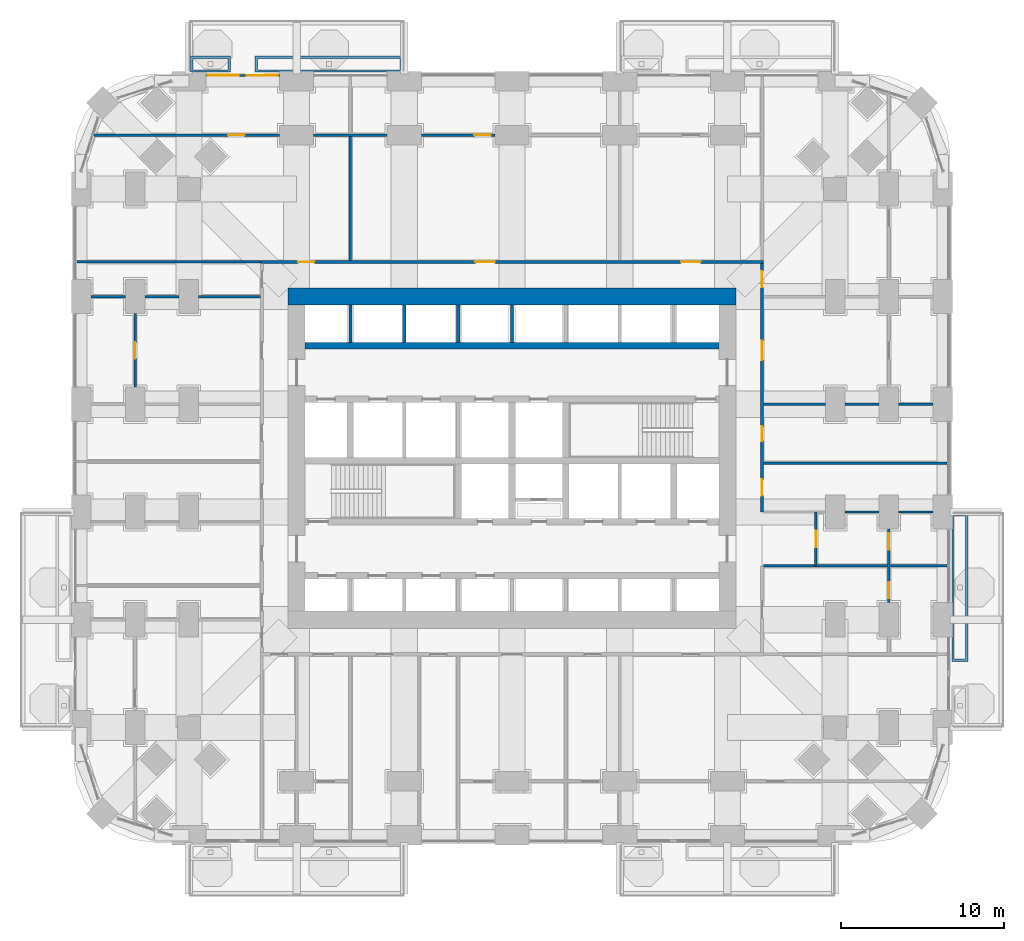
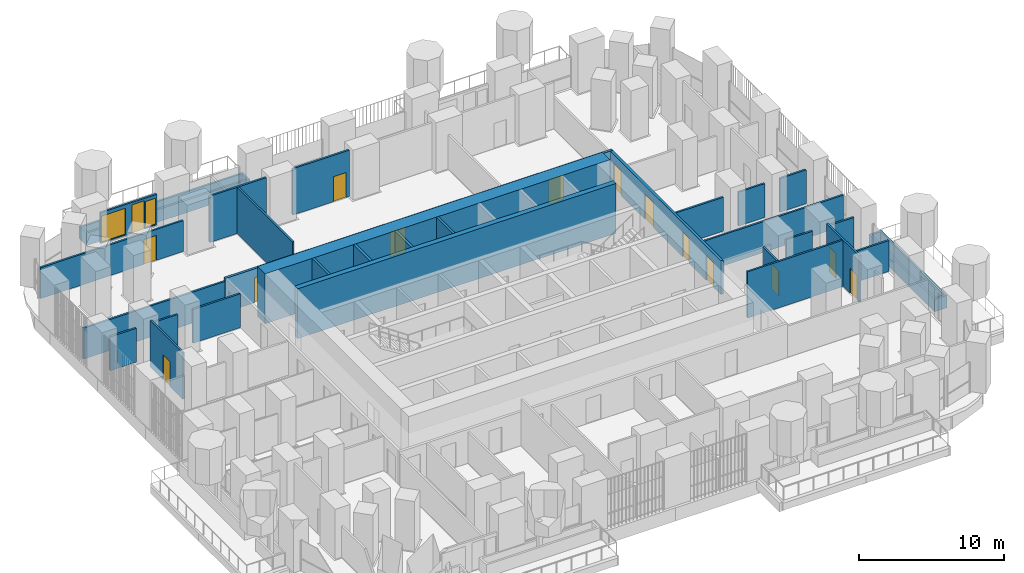
# One storey, part 21 of 27: 31 walls, 14 doors, 2 windows, 16 openings.
"""IFC4 building model written with IfcOpenShell, lengths in metres."""

import ifcopenshell
import ifcopenshell.guid

model = None  # the IFC model being written
_history = None  # IfcOwnerHistory: only IFC2X3 demands one
_inside = {}  # id of a spatial element -> (the spatial element, [elements in it])
_under = {}  # id of a project, library or spatial element -> (it, [spatial elements below it])
_declared = {}  # id of a project -> (the project, [libraries it declares])
_typed = {}  # id of a type object -> (the type object, [elements of that type])
_made_of = {}  # id of a material, layer set ... -> (it, [elements and type objects made of it])


def new_model(schema):
    """Start an empty IFC model of exactly this schema.

    Asked for "IFC4X3", IfcOpenShell would pick the latest addendum, in which some entities
    have other attributes; the version numbers below select the first issue.
    IFC2X3 requires an IfcOwnerHistory on every rooted entity: one is made here for all.
    """
    global model, _history
    if schema == "IFC4X3":
        model = ifcopenshell.file(schema_version=(4, 3, 0, 0))
    else:
        model = ifcopenshell.file(schema=schema)
    _inside.clear()
    _under.clear()
    _declared.clear()
    _typed.clear()
    _made_of.clear()
    _history = None
    if model.schema == "IFC2X3":
        org = make("IfcOrganization", Name="unknown")
        user = make(
            "IfcPersonAndOrganization",
            ThePerson=make("IfcPerson", FamilyName="unknown"),
            TheOrganization=org,
        )
        app = make(
            "IfcApplication",
            ApplicationDeveloper=org,
            Version="unknown",
            ApplicationFullName="unknown",
            ApplicationIdentifier="unknown",
        )
        _history = make(
            "IfcOwnerHistory",
            OwningUser=user,
            OwningApplication=app,
            ChangeAction="ADDED",
            CreationDate=0,
        )
    return model


def make(cls, **values):
    """One entity of the class cls with the attributes given. An attribute that is None is left unset."""
    return model.create_entity(
        cls, **{name: value for name, value in values.items() if value is not None}
    )


def rooted(cls, **values):
    """An entity with a GlobalId (a new one), such as an element, a storey or a relation."""
    return make(cls, GlobalId=ifcopenshell.guid.new(), OwnerHistory=_history, **values)


def si_unit(unit_type, name, prefix=None):
    """IfcSIUnit, for example si_unit("LENGTHUNIT", "METRE", prefix="MILLI")."""
    return make("IfcSIUnit", UnitType=unit_type, Prefix=prefix, Name=name)


def assignment(units):
    """IfcUnitAssignment: the units of a project."""
    return None if units is None else make("IfcUnitAssignment", Units=units)


def point(xyz):
    """IfcCartesianPoint."""
    return None if xyz is None else make("IfcCartesianPoint", Coordinates=xyz)


def direction(xyz):
    """IfcDirection."""
    return None if xyz is None else make("IfcDirection", DirectionRatios=xyz)


def frame(location, z_axis=None, x_axis=None):
    """IfcAxis2Placement3D, a coordinate frame: its origin and axes. An axis left out is left unset."""
    return make(
        "IfcAxis2Placement3D",
        Location=point(location),
        Axis=direction(z_axis),
        RefDirection=direction(x_axis),
    )


def frame_2d(location, x_axis=None):
    """IfcAxis2Placement2D, a coordinate frame in the plane: its origin and x axis."""
    return make(
        "IfcAxis2Placement2D", Location=point(location), RefDirection=direction(x_axis)
    )


def origin():
    """The frame at (0, 0, 0) with its axes left unset."""
    return frame((0.0, 0.0, 0.0))


def place(relative_to, where):
    """IfcLocalPlacement: puts the frame where relative to a parent placement (None: the world)."""
    return make(
        "IfcLocalPlacement", PlacementRelTo=relative_to, RelativePlacement=where
    )


def context(
    kind, dimensions, precision=None, world=None, true_north=None, identifier=None
):
    """IfcGeometricRepresentationContext, for example the 3D "Model" context."""
    return make(
        "IfcGeometricRepresentationContext",
        ContextIdentifier=identifier,
        ContextType=kind,
        CoordinateSpaceDimension=dimensions,
        Precision=precision,
        WorldCoordinateSystem=world,
        TrueNorth=true_north,
    )


def subcontext(parent, identifier, kind, view, scale=None):
    """IfcGeometricRepresentationSubContext, for example "Body" below "Model"."""
    return make(
        "IfcGeometricRepresentationSubContext",
        ContextIdentifier=identifier,
        ContextType=kind,
        ParentContext=parent,
        TargetScale=scale,
        TargetView=view,
    )


def project(units=None, contexts=None):
    """IfcProject with its units and contexts."""
    return rooted(
        "IfcProject",
        Name="project",
        RepresentationContexts=contexts,
        UnitsInContext=assignment(units),
    )


def spatial(cls, under=None, at=None, **own):
    """A site, building, storey or space (cls), placed at a placement, below another one or the project."""
    s = rooted(cls, ObjectPlacement=at, **own)
    if under is not None:
        _under.setdefault(under.id(), (under, []))[1].append(s)
    return s


def polyline(points):
    """IfcPolyline through the points."""
    return make("IfcPolyline", Points=[point(p) for p in points])


def profile(cls, at=None, kind="AREA", **sizes):
    """A parametric profile (cls). Its sizes go by their IFC names, for example OverallWidth=200.0."""
    return make(cls, ProfileType=kind, Position=at, **sizes)


def rectangle(**sizes):
    """IfcRectangleProfileDef."""
    return profile("IfcRectangleProfileDef", **sizes)


def outline(outer, holes=None, kind="AREA"):
    """IfcArbitraryClosedProfileDef: a profile drawn as a closed curve; with holes, ...WithVoids."""
    if holes is None:
        return make("IfcArbitraryClosedProfileDef", ProfileType=kind, OuterCurve=outer)
    return make(
        "IfcArbitraryProfileDefWithVoids",
        ProfileType=kind,
        OuterCurve=outer,
        InnerCurves=holes,
    )


def extrude(swept, where, along, depth):
    """IfcExtrudedAreaSolid: the profile swept, set in the frame where, extruded along a direction by depth."""
    return make(
        "IfcExtrudedAreaSolid",
        SweptArea=swept,
        Position=where,
        ExtrudedDirection=direction(along),
        Depth=depth,
    )


def shape(context_of_items, identifier, shape_type, items):
    """IfcShapeRepresentation: the items that make up one representation, for example the "Body"."""
    return make(
        "IfcShapeRepresentation",
        ContextOfItems=context_of_items,
        RepresentationIdentifier=identifier,
        RepresentationType=shape_type,
        Items=items,
    )


def material(Name=None, Category=None):
    """IfcMaterial."""
    return make("IfcMaterial", Name=Name, Category=Category)


def layer(
    of_material, thickness, ventilated=None, Name=None, Category=None, Priority=None
):
    """IfcMaterialLayer: one layer of a wall or slab, of a material (None: an air gap)."""
    return make(
        "IfcMaterialLayer",
        Material=of_material,
        LayerThickness=thickness,
        IsVentilated=ventilated,
        Name=Name,
        Category=Category,
        Priority=Priority,
    )


def layer_set(layers, Name=None):
    """IfcMaterialLayerSet."""
    return make("IfcMaterialLayerSet", MaterialLayers=layers, LayerSetName=Name)


def made_of(thing, what):
    """Note that an element or type object is made of a material, layer set ...; save() writes the relation."""
    if what is not None:
        _made_of.setdefault(what.id(), (what, []))[1].append(thing)
    return thing


def type_object(cls, material=None, **own):
    """A type object (cls), such as IfcWallType, which elements share."""
    return made_of(rooted(cls, **own), material)


def element(
    cls,
    number,
    at=None,
    inside=None,
    cuts=None,
    type_object=None,
    material=None,
    context=None,
    identifier="Body",
    shape_type=None,
    held_by="IfcProductDefinitionShape",
    body=None,
    shapes=None,
    **own,
):
    """One element of the class cls, such as IfcWall. Its Tag is "e" and its number.

    at: its placement. inside: the storey or other place that contains it. cuts: it is an
    opening in that element (IfcRelVoidsElement). A single representation is given by context,
    identifier, shape_type and body (its items); several are given by shapes. held_by: the class
    of the entity that holds the representations. save() writes the other relations.
    """
    e = rooted(cls, Tag="e%d" % number, ObjectPlacement=at, **own)
    if body is not None:
        shapes = [shape(context, identifier, shape_type, body)]
    if shapes is not None:
        e.Representation = make(held_by, Representations=shapes)
    if inside is not None:
        _inside.setdefault(inside.id(), (inside, []))[1].append(e)
    if cuts is not None:
        rooted(
            "IfcRelVoidsElement", RelatingBuildingElement=cuts, RelatedOpeningElement=e
        )
    if type_object is not None:
        _typed.setdefault(type_object.id(), (type_object, []))[1].append(e)
    return made_of(e, material)


def fill(opening, filler):
    """IfcRelFillsElement: the door or window that sits in an opening."""
    return rooted(
        "IfcRelFillsElement",
        RelatingOpeningElement=opening,
        RelatedBuildingElement=filler,
    )


def aggregate(whole, parts):
    """IfcRelAggregates: a whole, such as a stair, and the parts it consists of."""
    return rooted("IfcRelAggregates", RelatingObject=whole, RelatedObjects=parts)


def save(model, path):
    """Write the relations noted so far, then the file.

    IfcRelAggregates (storeys below a building ...), IfcRelContainedInSpatialStructure (elements
    in a storey), IfcRelDefinesByType, IfcRelAssociatesMaterial and IfcRelDeclares: one each for
    every whole, place, type object, material and project.
    """
    for whole, parts in _under.values():
        aggregate(whole, parts)
    for where, things in _inside.values():
        rooted(
            "IfcRelContainedInSpatialStructure",
            RelatedElements=things,
            RelatingStructure=where,
        )
    for kind, things in _typed.values():
        rooted("IfcRelDefinesByType", RelatedObjects=things, RelatingType=kind)
    for what, things in _made_of.values():
        rooted("IfcRelAssociatesMaterial", RelatedObjects=things, RelatingMaterial=what)
    for by, libraries in _declared.values():
        rooted("IfcRelDeclares", RelatingContext=by, RelatedDefinitions=libraries)
    model.write(path)


model = new_model("IFC4")

# Units and contexts
model_context = context("Model", 3, precision=1e-05, world=origin(), true_north=direction((0.0, 1.0)))
body_context = subcontext(model_context, "Body", "Model", "MODEL_VIEW")
ifc_project = project(units=[si_unit("LENGTHUNIT", "METRE"), si_unit("AREAUNIT", "SQUARE_METRE"), si_unit("VOLUMEUNIT", "CUBIC_METRE"), si_unit("PLANEANGLEUNIT", "RADIAN"), si_unit("MASSUNIT", "GRAM", prefix="KILO")], contexts=[model_context])

# Site, building, storey
site_placement = place(None, origin())
site = spatial("IfcSite", under=ifc_project, at=site_placement, CompositionType="ELEMENT")
building_placement = place(site_placement, origin())
building = spatial("IfcBuilding", under=site, at=building_placement, Name="Cobogo Forest Laboratory Tower", CompositionType="ELEMENT")
storey_placement = place(building_placement, frame((0.0, 0.0, 63.300048828125)))
storey = spatial("IfcBuildingStorey", under=building, at=storey_placement, Name="L14", CompositionType="ELEMENT", Elevation=63.300048828125)

# Walls
ifc_material_1 = material(Name="Concrete HA-50 (C50/60)", Category="concrete")
ifc_layer_1 = layer(ifc_material_1, 0.39990234375)
ifc_layer_set_1 = layer_set([ifc_layer_1], Name="CI400 core inner wall 400")
wall_type_1 = type_object("IfcWallType", Name="CI400 core inner wall 400", PredefinedType="SHEAR", material=ifc_layer_set_1)
wall_1_placement = place(storey_placement, frame((13.72509765625, 30.0, 0.0), z_axis=(0.0, 0.0, 1.0), x_axis=(1.0, 0.0, 0.0)))
element("IfcWall", 1, at=wall_1_placement, inside=storey, type_object=wall_type_1, Name="Core wall CI-30.0 L14", PredefinedType="SHEAR", context=body_context, shape_type="SweptSolid", body=[
    extrude(rectangle(XDim=25.349853515625, YDim=0.39990234375, at=frame_2d((12.6748046875, 0.0))), origin(), (0.0, 0.0, 1.0), 4.199951171875),
])
ifc_layer_2 = layer(ifc_material_1, 1.050048828125)
ifc_layer_set_2 = layer_set([ifc_layer_2], Name="CW1050 core outer wall 1050")
wall_type_2 = type_object("IfcWallType", Name="CW1050 core outer wall 1050", PredefinedType="SHEAR", material=ifc_layer_set_2)
wall_2_placement = place(storey_placement, frame((40.125, 33.0, 0.0), z_axis=(0.0, 0.0, 1.0), x_axis=(-1.0, 0.0, 0.0)))
element("IfcWall", 2, at=wall_2_placement, inside=storey, type_object=wall_type_2, Name="Core wall CO-N L14", PredefinedType="SHEAR", context=body_context, shape_type="SweptSolid", body=[
    extrude(rectangle(XDim=27.449951171875, YDim=1.050048828125, at=frame_2d((13.72509765625, 0.0))), origin(), (0.0, 0.0, 1.0), 4.199951171875),
])

# Wall, openings, door, windows
ifc_material_2 = material(Name="Aluminium framed glazed screen", Category="aluminium")
ifc_layer_3 = layer(ifc_material_2, 0.14990234375)
ifc_layer_set_3 = layer_set([ifc_layer_3], Name="GS1 glazed door screen 150")
wall_type_3 = type_object("IfcWallType", Name="GS1 glazed door screen 150", PredefinedType="SOLIDWALL", material=ifc_layer_set_3)
wall_3_placement = place(storey_placement, frame((12.14990234375, 46.550048828125, 0.0), z_axis=(0.0, 0.0, 1.0), x_axis=(-1.0, 0.0, 0.0)))
wall_3 = element("IfcWall", 3, at=wall_3_placement, inside=storey, type_object=wall_type_3, Name="Door screen BAL-N1 L14", PredefinedType="SOLIDWALL", context=body_context, shape_type="SweptSolid", body=[
    extrude(rectangle(XDim=4.5, YDim=0.14990234375, at=frame_2d((2.25, 0.0))), origin(), (0.0, 0.0, 1.0), 2.599853515625),
])
opening_1_placement = place(wall_3_placement, frame((1.0, 0.0, 0.0)))
opening_1 = element("IfcOpeningElement", 4, at=opening_1_placement, cuts=wall_3, Name="Opening L14-D50", PredefinedType="OPENING", context=body_context, shape_type="SweptSolid", body=[
    extrude(rectangle(XDim=1.0, YDim=2.39990234375, at=frame_2d((0.5, 1.199951171875))), frame((0.0, 0.0849609375, 0.0), z_axis=(0.0, -1.0, 0.0), x_axis=(1.0, 0.0, 0.0)), (0.0, 0.0, 1.0), 0.169921875),
])
opening_2_placement = place(wall_3_placement, frame((0.10009765625, 0.0, 0.10009765625)))
opening_2 = element("IfcOpeningElement", 5, at=opening_2_placement, cuts=wall_3, Name="Opening L14-W10", PredefinedType="OPENING", context=body_context, shape_type="SweptSolid", body=[
    extrude(rectangle(XDim=0.800048828125, YDim=2.199951171875, at=frame_2d((0.39990234375, 1.10009765625))), frame((0.0, 0.0849609375, 0.0), z_axis=(0.0, -1.0, 0.0), x_axis=(1.0, 0.0, 0.0)), (0.0, 0.0, 1.0), 0.169921875),
])
opening_3_placement = place(wall_3_placement, frame((2.5, 0.0, 0.10009765625)))
opening_3 = element("IfcOpeningElement", 6, at=opening_3_placement, cuts=wall_3, Name="Opening L14-W09", PredefinedType="OPENING", context=body_context, shape_type="SweptSolid", body=[
    extrude(rectangle(XDim=1.89990234375, YDim=2.199951171875, at=frame_2d((0.949951171875, 1.10009765625))), frame((0.0, 0.0849609375, 0.0), z_axis=(0.0, -1.0, 0.0), x_axis=(1.0, 0.0, 0.0)), (0.0, 0.0, 1.0), 0.169921875),
])
ifc_material_3 = material(Name="Aluminium glazed door", Category="aluminium")
door_type_1 = type_object("IfcDoorType", Name="DB1 balcony door 1000 glazed", OperationType="SINGLE_SWING_LEFT", PredefinedType="DOOR", material=ifc_material_3)
door_1_placement = place(opening_1_placement, origin())
door_1 = element("IfcDoor", 7, at=door_1_placement, inside=storey, type_object=door_type_1, Name="Door L14-BAL-N1", OperationType="SINGLE_SWING_LEFT", OverallHeight=2.39990234375, OverallWidth=1.0, PredefinedType="DOOR", context=body_context, shape_type="SweptSolid", body=[
    extrude(rectangle(XDim=1.0, YDim=2.39990234375, at=frame_2d((0.5, 1.199951171875))), frame((0.0, 0.02490234375, 0.0), z_axis=(0.0, -1.0, 0.0), x_axis=(1.0, 0.0, 0.0)), (0.0, 0.0, 1.0), 0.050048828125),
])
fill(opening_1, door_1)
ifc_material_4 = material(Name="Aluminium framed glazing", Category="aluminium")
window_type_1 = type_object("IfcWindowType", Name="WG5 fixed glazed light 1900x2200", PartitioningType="SINGLE_PANEL", PredefinedType="WINDOW", material=ifc_material_4)
window_1_placement = place(opening_3_placement, origin())
window_1 = element("IfcWindow", 8, at=window_1_placement, inside=storey, type_object=window_type_1, Name="Window L14-BAL-N1-2", OverallHeight=2.199951171875, OverallWidth=1.89990234375, PartitioningType="SINGLE_PANEL", PredefinedType="WINDOW", context=body_context, shape_type="SweptSolid", body=[
    extrude(rectangle(XDim=1.89990234375, YDim=2.199951171875, at=frame_2d((0.949951171875, 1.10009765625))), frame((0.0, 0.030029296875, 0.0), z_axis=(0.0, -1.0, 0.0), x_axis=(1.0, 0.0, 0.0)), (0.0, 0.0, 1.0), 0.06005859375),
])
fill(opening_3, window_1)
window_type_2 = type_object("IfcWindowType", Name="WG6 fixed glazed light 800x2200", PartitioningType="SINGLE_PANEL", PredefinedType="WINDOW", material=ifc_material_4)
window_2_placement = place(opening_2_placement, origin())
window_2 = element("IfcWindow", 9, at=window_2_placement, inside=storey, type_object=window_type_2, Name="Window L14-BAL-N1-1", OverallHeight=2.199951171875, OverallWidth=0.800048828125, PartitioningType="SINGLE_PANEL", PredefinedType="WINDOW", context=body_context, shape_type="SweptSolid", body=[
    extrude(rectangle(XDim=0.800048828125, YDim=2.199951171875, at=frame_2d((0.39990234375, 1.10009765625))), frame((0.0, 0.030029296875, 0.0), z_axis=(0.0, -1.0, 0.0), x_axis=(1.0, 0.0, 0.0)), (0.0, 0.0, 1.0), 0.06005859375),
])
fill(opening_2, window_2)

# Wall
ifc_material_5 = material(Name="Gypsum board on steel studs", Category="steel")
ifc_layer_4 = layer(ifc_material_5, 0.14990234375)
ifc_layer_set_4 = layer_set([ifc_layer_4], Name="PT1 laboratory partition 150")
wall_type_4 = type_object("IfcWallType", Name="PT1 laboratory partition 150", PredefinedType="PARTITIONING", material=ifc_layer_set_4)
wall_4_placement = place(storey_placement, frame((-0.27001953125, 35.125, 0.0), z_axis=(0.0, 0.0, 1.0), x_axis=(1.0, 0.0, 0.0)))
element("IfcWall", 10, at=wall_4_placement, inside=storey, type_object=wall_type_4, Name="Partition PW-NW L14", PredefinedType="PARTITIONING", context=body_context, shape_type="SweptSolid", body=[
    extrude(rectangle(XDim=11.2451171875, YDim=0.14990234375, at=frame_2d((5.62255859375, 0.0))), origin(), (0.0, 0.0, 1.0), 2.599853515625),
])

# Wall, openings, doors
wall_5_placement = place(storey_placement, frame((49.5, 14.25, 0.0), z_axis=(0.0, 0.0, 1.0), x_axis=(0.0, 1.0, 0.0)))
wall_5 = element("IfcWall", 11, at=wall_5_placement, inside=storey, type_object=wall_type_4, Name="Partition STRIP-E-2 L14", PredefinedType="PARTITIONING", context=body_context, shape_type="SweptSolid", body=[
    extrude(rectangle(XDim=4.5, YDim=0.14990234375, at=frame_2d((2.25, 0.0))), origin(), (0.0, 0.0, 1.0), 3.89990234375),
])
opening_4_placement = place(wall_5_placement, frame((0.25, 0.0, 0.0)))
opening_4 = element("IfcOpeningElement", 12, at=opening_4_placement, cuts=wall_5, Name="Opening L14-D20", PredefinedType="OPENING", context=body_context, shape_type="SweptSolid", body=[
    extrude(rectangle(XDim=1.0, YDim=2.10009765625, at=frame_2d((0.5, 1.050048828125))), frame((0.0, 0.0849609375, 0.0), z_axis=(0.0, -1.0, 0.0), x_axis=(1.0, 0.0, 0.0)), (0.0, 0.0, 1.0), 0.169921875),
])
opening_5_placement = place(wall_5_placement, frame((3.25, 0.0, 0.0)))
opening_5 = element("IfcOpeningElement", 13, at=opening_5_placement, cuts=wall_5, Name="Opening L14-D24", PredefinedType="OPENING", context=body_context, shape_type="SweptSolid", body=[
    extrude(rectangle(XDim=1.0, YDim=2.10009765625, at=frame_2d((0.5, 1.050048828125))), frame((0.0, 0.0849609375, 0.0), z_axis=(0.0, -1.0, 0.0), x_axis=(1.0, 0.0, 0.0)), (0.0, 0.0, 1.0), 0.169921875),
])
ifc_material_6 = material(Name="Timber fire door", Category="wood")
door_type_2 = type_object("IfcDoorType", Name="FD2 fire door 1000 EI2 30", OperationType="SINGLE_SWING_LEFT", PredefinedType="DOOR", material=ifc_material_6)
door_2_placement = place(opening_4_placement, origin())
door_2 = element("IfcDoor", 14, at=door_2_placement, inside=storey, type_object=door_type_2, Name="Door L14-E1W", OperationType="SINGLE_SWING_LEFT", OverallHeight=2.10009765625, OverallWidth=1.0, PredefinedType="DOOR", context=body_context, shape_type="SweptSolid", body=[
    extrude(rectangle(XDim=1.0, YDim=2.10009765625, at=frame_2d((0.5, 1.050048828125))), frame((0.0, 0.02490234375, 0.0), z_axis=(0.0, -1.0, 0.0), x_axis=(1.0, 0.0, 0.0)), (0.0, 0.0, 1.0), 0.050048828125),
])
fill(opening_4, door_2)
door_3_placement = place(opening_5_placement, origin())
door_3 = element("IfcDoor", 15, at=door_3_placement, inside=storey, type_object=door_type_2, Name="Door L14-E2W", OperationType="SINGLE_SWING_RIGHT", OverallHeight=2.10009765625, OverallWidth=1.0, PredefinedType="DOOR", context=body_context, shape_type="SweptSolid", body=[
    extrude(rectangle(XDim=1.0, YDim=2.10009765625, at=frame_2d((0.5, 1.050048828125))), frame((0.0, 0.02490234375, 0.0), z_axis=(0.0, -1.0, 0.0), x_axis=(1.0, 0.0, 0.0)), (0.0, 0.0, 1.0), 0.050048828125),
])
fill(opening_5, door_3)

# Wall, opening, door
wall_6_placement = place(storey_placement, frame((45.02490234375, 16.5, 0.0), z_axis=(0.0, 0.0, 1.0), x_axis=(0.0, 1.0, 0.0)))
wall_6 = element("IfcWall", 16, at=wall_6_placement, inside=storey, type_object=wall_type_4, Name="Partition NODE-E-1 L14", PredefinedType="PARTITIONING", context=body_context, shape_type="SweptSolid", body=[
    extrude(rectangle(XDim=3.300048828125, YDim=0.14990234375, at=frame_2d((1.64990234375, 0.0))), origin(), (0.0, 0.0, 1.0), 2.849853515625),
])
opening_6_placement = place(wall_6_placement, frame((1.14990234375, 0.0, 0.0)))
opening_6 = element("IfcOpeningElement", 17, at=opening_6_placement, cuts=wall_6, Name="Opening L14-D25", PredefinedType="OPENING", context=body_context, shape_type="SweptSolid", body=[
    extrude(rectangle(XDim=1.0, YDim=2.10009765625, at=frame_2d((0.5, 1.050048828125))), frame((0.0, 0.0849609375, 0.0), z_axis=(0.0, -1.0, 0.0), x_axis=(1.0, 0.0, 0.0)), (0.0, 0.0, 1.0), 0.169921875),
])
door_4_placement = place(opening_6_placement, origin())
door_4 = element("IfcDoor", 18, at=door_4_placement, inside=storey, type_object=door_type_2, Name="Door L14-E2", OperationType="SINGLE_SWING_LEFT", OverallHeight=2.10009765625, OverallWidth=1.0, PredefinedType="DOOR", context=body_context, shape_type="SweptSolid", body=[
    extrude(rectangle(XDim=1.0, YDim=2.10009765625, at=frame_2d((0.5, 1.050048828125))), frame((0.0, 0.02490234375, 0.0), z_axis=(0.0, -1.0, 0.0), x_axis=(1.0, 0.0, 0.0)), (0.0, 0.0, 1.0), 0.050048828125),
])
fill(opening_6, door_4)

# Walls
wall_7_placement = place(storey_placement, frame((53.070068359375, 22.800048828125, 0.0), z_axis=(0.0, 0.0, 1.0), x_axis=(-1.0, 0.0, 0.0)))
element("IfcWall", 19, at=wall_7_placement, inside=storey, type_object=wall_type_4, Name="Partition SVC-E1-1 L14", PredefinedType="PARTITIONING", context=body_context, shape_type="SweptSolid", body=[
    extrude(rectangle(XDim=11.2451171875, YDim=0.14990234375, at=frame_2d((5.62255859375, 0.0))), origin(), (0.0, 0.0, 1.0), 2.599853515625),
])
for number, where, z_axis, x_axis, name in (
    (20, (52.199951171875, 26.39990234375, 0.0), (0.0, 0.0, 1.0), (-1.0, 0.0, 0.0), "Partition SVC-E2-1 L14"),
    (21, (48.89990234375, 26.39990234375, 0.0), (0.0, 0.0, 1.0), (-1.0, 0.0, 0.0), "Partition SVC-E2-2 L14"),
):
    element("IfcWall", number, at=place(storey_placement, frame(where, z_axis=z_axis, x_axis=x_axis)), inside=storey, type_object=wall_type_4, Name=name, PredefinedType="PARTITIONING", context=body_context, shape_type="SweptSolid", body=[
        extrude(rectangle(XDim=2.099853515625, YDim=0.14990234375, at=frame_2d((1.0498046875, 0.0))), origin(), (0.0, 0.0, 1.0), 2.849853515625),
    ])
wall_8_placement = place(storey_placement, frame((45.60009765625, 26.39990234375, 0.0), z_axis=(0.0, 0.0, 1.0), x_axis=(-1.0, 0.0, 0.0)))
element("IfcWall", 22, at=wall_8_placement, inside=storey, type_object=wall_type_4, Name="Partition SVC-E2-3 L14", PredefinedType="PARTITIONING", context=body_context, shape_type="SweptSolid", body=[
    extrude(rectangle(XDim=3.775146484375, YDim=0.14990234375, at=frame_2d((1.8876953125, 0.0))), origin(), (0.0, 0.0, 1.0), 2.849853515625),
])
wall_9_placement = place(storey_placement, frame((53.070068359375, 16.5, 0.0), z_axis=(0.0, 0.0, 1.0), x_axis=(-1.0, 0.0, 0.0)))
element("IfcWall", 23, at=wall_9_placement, inside=storey, type_object=wall_type_4, Name="Partition CUT-E16.5a-1 L14", PredefinedType="PARTITIONING", context=body_context, shape_type="SweptSolid", body=[
    extrude(rectangle(XDim=3.4951171875, YDim=0.14990234375, at=frame_2d((1.74755859375, 0.0))), origin(), (0.0, 0.0, 1.0), 2.599853515625),
])
wall_10_placement = place(storey_placement, frame((49.425048828125, 16.5, 0.0), z_axis=(0.0, 0.0, 1.0), x_axis=(-1.0, 0.0, 0.0)))
element("IfcWall", 24, at=wall_10_placement, inside=storey, type_object=wall_type_4, Name="Partition CUT-E16.5b-1 L14", PredefinedType="PARTITIONING", context=body_context, shape_type="SweptSolid", body=[
    extrude(rectangle(XDim=7.60009765625, YDim=0.14990234375, at=frame_2d((3.800048828125, 0.0))), origin(), (0.0, 0.0, 1.0), 3.89990234375),
])
for number, where, z_axis, x_axis, name in (
    (25, (52.199951171875, 19.800048828125, 0.0), (0.0, 0.0, 1.0), (-1.0, 0.0, 0.0), "Partition CUT-E19.8-1 L14"),
    (26, (48.89990234375, 19.800048828125, 0.0), (0.0, 0.0, 1.0), (-1.0, 0.0, 0.0), "Partition CUT-E19.8-2 L14"),
):
    element("IfcWall", number, at=place(storey_placement, frame(where, z_axis=z_axis, x_axis=x_axis)), inside=storey, type_object=wall_type_4, Name=name, PredefinedType="PARTITIONING", context=body_context, shape_type="SweptSolid", body=[
        extrude(rectangle(XDim=2.099853515625, YDim=0.14990234375, at=frame_2d((1.0498046875, 0.0))), origin(), (0.0, 0.0, 1.0), 2.849853515625),
    ])

# Wall, opening, door
wall_11_placement = place(storey_placement, frame((25.35009765625, 42.89990234375, 0.0), z_axis=(0.0, 0.0, 1.0), x_axis=(-1.0, 0.0, 0.0)))
wall_11 = element("IfcWall", 27, at=wall_11_placement, inside=storey, type_object=wall_type_4, Name="Partition STRIP-N-4 L14", PredefinedType="PARTITIONING", context=body_context, shape_type="SweptSolid", body=[
    extrude(rectangle(XDim=4.5, YDim=0.14990234375, at=frame_2d((2.25, 0.0))), origin(), (0.0, 0.0, 1.0), 3.89990234375),
])
opening_7_placement = place(wall_11_placement, frame((0.25, 0.0, 0.0)))
opening_7 = element("IfcOpeningElement", 28, at=opening_7_placement, cuts=wall_11, Name="Opening L14-D48", PredefinedType="OPENING", context=body_context, shape_type="SweptSolid", body=[
    extrude(rectangle(XDim=1.0, YDim=2.10009765625, at=frame_2d((0.5, 1.050048828125))), frame((0.0, 0.0849609375, 0.0), z_axis=(0.0, -1.0, 0.0), x_axis=(1.0, 0.0, 0.0)), (0.0, 0.0, 1.0), 0.169921875),
])
door_5_placement = place(opening_7_placement, origin())
door_5 = element("IfcDoor", 29, at=door_5_placement, inside=storey, type_object=door_type_2, Name="Door L14-N2W", OperationType="SINGLE_SWING_LEFT", OverallHeight=2.10009765625, OverallWidth=1.0, PredefinedType="DOOR", context=body_context, shape_type="SweptSolid", body=[
    extrude(rectangle(XDim=1.0, YDim=2.10009765625, at=frame_2d((0.5, 1.050048828125))), frame((0.0, 0.02490234375, 0.0), z_axis=(0.0, -1.0, 0.0), x_axis=(1.0, 0.0, 0.0)), (0.0, 0.0, 1.0), 0.050048828125),
])
fill(opening_7, door_5)

# Wall
wall_12_placement = place(storey_placement, frame((18.75, 42.89990234375, 0.0), z_axis=(0.0, 0.0, 1.0), x_axis=(-1.0, 0.0, 0.0)))
element("IfcWall", 30, at=wall_12_placement, inside=storey, type_object=wall_type_4, Name="Partition STRIP-N-5 L14", PredefinedType="PARTITIONING", context=body_context, shape_type="SweptSolid", body=[
    extrude(rectangle(XDim=4.5, YDim=0.14990234375, at=frame_2d((2.25, 0.0))), origin(), (0.0, 0.0, 1.0), 3.89990234375),
])

# Wall, opening, door
wall_13_placement = place(storey_placement, frame((12.14990234375, 42.89990234375, 0.0), z_axis=(0.0, 0.0, 1.0), x_axis=(-1.0, 0.0, 0.0)))
wall_13 = element("IfcWall", 31, at=wall_13_placement, inside=storey, type_object=wall_type_4, Name="Partition STRIP-N-6 L14", PredefinedType="PARTITIONING", context=body_context, shape_type="SweptSolid", body=[
    extrude(rectangle(XDim=11.373779296875, YDim=0.14990234375, at=frame_2d((5.68701171875, 0.0))), origin(), (0.0, 0.0, 1.0), 2.599853515625),
])
opening_8_placement = place(wall_13_placement, frame((2.14208984375, 0.0, 0.0)))
opening_8 = element("IfcOpeningElement", 32, at=opening_8_placement, cuts=wall_13, Name="Opening L14-D47", PredefinedType="OPENING", context=body_context, shape_type="SweptSolid", body=[
    extrude(rectangle(XDim=1.0, YDim=2.10009765625, at=frame_2d((0.5, 1.050048828125))), frame((0.0, 0.0849609375, 0.0), z_axis=(0.0, -1.0, 0.0), x_axis=(1.0, 0.0, 0.0)), (0.0, 0.0, 1.0), 0.169921875),
])
door_6_placement = place(opening_8_placement, origin())
door_6 = element("IfcDoor", 33, at=door_6_placement, inside=storey, type_object=door_type_2, Name="Door L14-N1W", OperationType="SINGLE_SWING_LEFT", OverallHeight=2.10009765625, OverallWidth=1.0, PredefinedType="DOOR", context=body_context, shape_type="SweptSolid", body=[
    extrude(rectangle(XDim=1.0, YDim=2.10009765625, at=frame_2d((0.5, 1.050048828125))), frame((0.0, 0.02490234375, 0.0), z_axis=(0.0, -1.0, 0.0), x_axis=(1.0, 0.0, 0.0)), (0.0, 0.0, 1.0), 0.050048828125),
])
fill(opening_8, door_6)

# Wall
wall_14_placement = place(storey_placement, frame((16.5, 42.824951171875, 0.0), z_axis=(0.0, 0.0, 1.0), x_axis=(0.0, -1.0, 0.0)))
element("IfcWall", 34, at=wall_14_placement, inside=storey, type_object=wall_type_4, Name="Partition CUT-N16.5b-1 L14", PredefinedType="PARTITIONING", context=body_context, shape_type="SweptSolid", body=[
    extrude(rectangle(XDim=7.599853515625, YDim=0.14990234375, at=frame_2d((3.7998046875, 0.0))), origin(), (0.0, 0.0, 1.0), 3.89990234375),
])

# Wall, opening, door
wall_15_placement = place(storey_placement, frame((3.300048828125, 31.949951171875, 0.0), z_axis=(0.0, 0.0, 1.0), x_axis=(0.0, -1.0, 0.0)))
wall_15 = element("IfcWall", 35, at=wall_15_placement, inside=storey, type_object=wall_type_4, Name="Partition STRIP-W-1 L14", PredefinedType="PARTITIONING", context=body_context, shape_type="SweptSolid", body=[
    extrude(rectangle(XDim=4.5, YDim=0.14990234375, at=frame_2d((2.25, 0.0))), origin(), (0.0, 0.0, 1.0), 3.89990234375),
])
opening_9_placement = place(wall_15_placement, frame((1.75, 0.0, 0.0)))
opening_9 = element("IfcOpeningElement", 36, at=opening_9_placement, cuts=wall_15, Name="Opening L14-D37", PredefinedType="OPENING", context=body_context, shape_type="SweptSolid", body=[
    extrude(rectangle(XDim=1.0, YDim=2.10009765625, at=frame_2d((0.5, 1.050048828125))), frame((0.0, 0.0849609375, 0.0), z_axis=(0.0, -1.0, 0.0), x_axis=(1.0, 0.0, 0.0)), (0.0, 0.0, 1.0), 0.169921875),
])
door_7_placement = place(opening_9_placement, origin())
door_7 = element("IfcDoor", 37, at=door_7_placement, inside=storey, type_object=door_type_2, Name="Door L14-W3W", OperationType="SINGLE_SWING_RIGHT", OverallHeight=2.10009765625, OverallWidth=1.0, PredefinedType="DOOR", context=body_context, shape_type="SweptSolid", body=[
    extrude(rectangle(XDim=1.0, YDim=2.10009765625, at=frame_2d((0.5, 1.050048828125))), frame((0.0, 0.02490234375, 0.0), z_axis=(0.0, -1.0, 0.0), x_axis=(1.0, 0.0, 0.0)), (0.0, 0.0, 1.0), 0.050048828125),
])
fill(opening_9, door_7)

# Walls
wall_16_placement = place(storey_placement, frame((0.60009765625, 33.0, 0.0), z_axis=(0.0, 0.0, 1.0), x_axis=(1.0, 0.0, 0.0)))
element("IfcWall", 38, at=wall_16_placement, inside=storey, type_object=wall_type_4, Name="Partition CUT-W33-1 L14", PredefinedType="PARTITIONING", context=body_context, shape_type="SweptSolid", body=[
    extrude(rectangle(XDim=2.099853515625, YDim=0.14990234375, at=frame_2d((1.0498046875, 0.0))), origin(), (0.0, 0.0, 1.0), 2.849853515625),
])
wall_17_placement = place(storey_placement, frame((3.89990234375, 33.0, 0.0), z_axis=(0.0, 0.0, 1.0), x_axis=(1.0, 0.0, 0.0)))
element("IfcWall", 39, at=wall_17_placement, inside=storey, type_object=wall_type_4, Name="Partition CUT-W33-2 L14", PredefinedType="PARTITIONING", context=body_context, shape_type="SweptSolid", body=[
    extrude(rectangle(XDim=2.10009765625, YDim=0.14990234375, at=frame_2d((1.050048828125, 0.0))), origin(), (0.0, 0.0, 1.0), 2.849853515625),
])
wall_18_placement = place(storey_placement, frame((7.199951171875, 33.0, 0.0), z_axis=(0.0, 0.0, 1.0), x_axis=(1.0, 0.0, 0.0)))
element("IfcWall", 40, at=wall_18_placement, inside=storey, type_object=wall_type_4, Name="Partition CUT-W33-3 L14", PredefinedType="PARTITIONING", context=body_context, shape_type="SweptSolid", body=[
    extrude(rectangle(XDim=3.775146484375, YDim=0.14990234375, at=frame_2d((1.8876953125, 0.0))), origin(), (0.0, 0.0, 1.0), 2.849853515625),
])

# Wall, openings, doors
ifc_layer_5 = layer(ifc_material_5, 0.199951171875)
ifc_layer_set_5 = layer_set([ifc_layer_5], Name="PT2 fire-rated corridor partition 200")
wall_type_5 = type_object("IfcWallType", Name="PT2 fire-rated corridor partition 200", PredefinedType="PARTITIONING", material=ifc_layer_set_5)
wall_19_placement = place(storey_placement, frame((10.97509765625, 35.125, 0.0), z_axis=(0.0, 0.0, 1.0), x_axis=(1.0, 0.0, 0.0)))
wall_19 = element("IfcWall", 41, at=wall_19_placement, inside=storey, type_object=wall_type_5, Name="Partition CORR-N L14", PredefinedType="PARTITIONING", context=body_context, shape_type="SweptSolid", body=[
    extrude(rectangle(XDim=30.849853515625, YDim=0.199951171875, at=frame_2d((15.4248046875, 0.0))), origin(), (0.0, 0.0, 1.0), 2.849853515625),
])
opening_10_placement = place(wall_19_placement, frame((2.3125, 0.0, 0.0)))
opening_10 = element("IfcOpeningElement", 42, at=opening_10_placement, cuts=wall_19, Name="Opening L14-D43", PredefinedType="OPENING", context=body_context, shape_type="SweptSolid", body=[
    extrude(rectangle(XDim=1.0, YDim=2.10009765625, at=frame_2d((0.5, 1.050048828125))), frame((0.0, 0.10986328125, 0.0), z_axis=(0.0, -1.0, 0.0), x_axis=(1.0, 0.0, 0.0)), (0.0, 0.0, 1.0), 0.219970703125),
])
opening_11_placement = place(wall_19_placement, frame((13.175048828125, 0.0, 0.0)))
opening_11 = element("IfcOpeningElement", 43, at=opening_11_placement, cuts=wall_19, Name="Opening L14-D44", PredefinedType="OPENING", context=body_context, shape_type="SweptSolid", body=[
    extrude(rectangle(XDim=1.199951171875, YDim=2.10009765625, at=frame_2d((0.60009765625, 1.050048828125))), frame((0.0, 0.10986328125, 0.0), z_axis=(0.0, -1.0, 0.0), x_axis=(1.0, 0.0, 0.0)), (0.0, 0.0, 1.0), 0.219970703125),
])
opening_12_placement = place(wall_19_placement, frame((25.78759765625, 0.0, 0.0)))
opening_12 = element("IfcOpeningElement", 44, at=opening_12_placement, cuts=wall_19, Name="Opening L14-D45", PredefinedType="OPENING", context=body_context, shape_type="SweptSolid", body=[
    extrude(rectangle(XDim=1.199951171875, YDim=2.10009765625, at=frame_2d((0.60009765625, 1.050048828125))), frame((0.0, 0.10986328125, 0.0), z_axis=(0.0, -1.0, 0.0), x_axis=(1.0, 0.0, 0.0)), (0.0, 0.0, 1.0), 0.219970703125),
])
ifc_material_7 = material(Name="Timber door", Category="wood")
door_type_3 = type_object("IfcDoorType", Name="D2 laboratory door 1200 unequal pair", OperationType="DOUBLE_DOOR_SINGLE_SWING", PredefinedType="DOOR", material=ifc_material_7)
door_8_placement = place(opening_11_placement, origin())
door_8 = element("IfcDoor", 45, at=door_8_placement, inside=storey, type_object=door_type_3, Name="Door L14-N2", OperationType="DOUBLE_DOOR_SINGLE_SWING", OverallHeight=2.10009765625, OverallWidth=1.199951171875, PredefinedType="DOOR", context=body_context, shape_type="SweptSolid", body=[
    extrude(rectangle(XDim=1.199951171875, YDim=2.10009765625, at=frame_2d((0.60009765625, 1.050048828125))), frame((0.0, 0.02490234375, 0.0), z_axis=(0.0, -1.0, 0.0), x_axis=(1.0, 0.0, 0.0)), (0.0, 0.0, 1.0), 0.050048828125),
])
fill(opening_11, door_8)
door_9_placement = place(opening_12_placement, origin())
door_9 = element("IfcDoor", 46, at=door_9_placement, inside=storey, type_object=door_type_3, Name="Door L14-N3", OperationType="DOUBLE_DOOR_SINGLE_SWING", OverallHeight=2.10009765625, OverallWidth=1.199951171875, PredefinedType="DOOR", context=body_context, shape_type="SweptSolid", body=[
    extrude(rectangle(XDim=1.199951171875, YDim=2.10009765625, at=frame_2d((0.60009765625, 1.050048828125))), frame((0.0, 0.02490234375, 0.0), z_axis=(0.0, -1.0, 0.0), x_axis=(1.0, 0.0, 0.0)), (0.0, 0.0, 1.0), 0.050048828125),
])
fill(opening_12, door_9)
door_10_placement = place(opening_10_placement, origin())
door_10 = element("IfcDoor", 47, at=door_10_placement, inside=storey, type_object=door_type_2, Name="Door L14-N1", OperationType="SINGLE_SWING_LEFT", OverallHeight=2.10009765625, OverallWidth=1.0, PredefinedType="DOOR", context=body_context, shape_type="SweptSolid", body=[
    extrude(rectangle(XDim=1.0, YDim=2.10009765625, at=frame_2d((0.5, 1.050048828125))), frame((0.0, 0.02490234375, 0.0), z_axis=(0.0, -1.0, 0.0), x_axis=(1.0, 0.0, 0.0)), (0.0, 0.0, 1.0), 0.050048828125),
])
fill(opening_10, door_10)

wall_20_placement = place(storey_placement, frame((41.72509765625, 19.800048828125, 0.0), z_axis=(0.0, 0.0, 1.0), x_axis=(0.0, 1.0, 0.0)))
wall_20 = element("IfcWall", 48, at=wall_20_placement, inside=storey, type_object=wall_type_5, Name="Partition CORR-E-2 L14", PredefinedType="PARTITIONING", context=body_context, shape_type="SweptSolid", body=[
    extrude(rectangle(XDim=15.224853515625, YDim=0.199951171875, at=frame_2d((7.6123046875, 0.0))), origin(), (0.0, 0.0, 1.0), 2.849853515625),
])
opening_13_placement = place(wall_20_placement, frame((1.0, 0.0, 0.0)))
opening_13 = element("IfcOpeningElement", 49, at=opening_13_placement, cuts=wall_20, Name="Opening L14-D31", PredefinedType="OPENING", context=body_context, shape_type="SweptSolid", body=[
    extrude(rectangle(XDim=1.0, YDim=2.10009765625, at=frame_2d((0.5, 1.050048828125))), frame((0.0, 0.10986328125, 0.0), z_axis=(0.0, -1.0, 0.0), x_axis=(1.0, 0.0, 0.0)), (0.0, 0.0, 1.0), 0.219970703125),
])
opening_14_placement = place(wall_20_placement, frame((4.35009765625, 0.0, 0.0)))
opening_14 = element("IfcOpeningElement", 50, at=opening_14_placement, cuts=wall_20, Name="Opening L14-D32", PredefinedType="OPENING", context=body_context, shape_type="SweptSolid", body=[
    extrude(rectangle(XDim=0.89990234375, YDim=2.10009765625, at=frame_2d((0.449951171875, 1.050048828125))), frame((0.0, 0.10986328125, 0.0), z_axis=(0.0, -1.0, 0.0), x_axis=(1.0, 0.0, 0.0)), (0.0, 0.0, 1.0), 0.219970703125),
])
opening_15_placement = place(wall_20_placement, frame((9.300048828125, 0.0, 0.0)))
opening_15 = element("IfcOpeningElement", 51, at=opening_15_placement, cuts=wall_20, Name="Opening L14-D39", PredefinedType="OPENING", context=body_context, shape_type="SweptSolid", body=[
    extrude(rectangle(XDim=1.199951171875, YDim=2.10009765625, at=frame_2d((0.60009765625, 1.050048828125))), frame((0.0, 0.10986328125, 0.0), z_axis=(0.0, -1.0, 0.0), x_axis=(1.0, 0.0, 0.0)), (0.0, 0.0, 1.0), 0.219970703125),
])
opening_16_placement = place(wall_20_placement, frame((13.762451171875, 0.0, 0.0)))
opening_16 = element("IfcOpeningElement", 52, at=opening_16_placement, cuts=wall_20, Name="Opening L14-D42", PredefinedType="OPENING", context=body_context, shape_type="SweptSolid", body=[
    extrude(rectangle(XDim=1.0, YDim=2.10009765625, at=frame_2d((0.5, 1.050048828125))), frame((0.0, 0.10986328125, 0.0), z_axis=(0.0, -1.0, 0.0), x_axis=(1.0, 0.0, 0.0)), (0.0, 0.0, 1.0), 0.219970703125),
])
door_11_placement = place(opening_15_placement, origin())
door_11 = element("IfcDoor", 53, at=door_11_placement, inside=storey, type_object=door_type_3, Name="Door L14-E3", OperationType="DOUBLE_DOOR_SINGLE_SWING", OverallHeight=2.10009765625, OverallWidth=1.199951171875, PredefinedType="DOOR", context=body_context, shape_type="SweptSolid", body=[
    extrude(rectangle(XDim=1.199951171875, YDim=2.10009765625, at=frame_2d((0.60009765625, 1.050048828125))), frame((0.0, 0.02490234375, 0.0), z_axis=(0.0, -1.0, 0.0), x_axis=(1.0, 0.0, 0.0)), (0.0, 0.0, 1.0), 0.050048828125),
])
fill(opening_15, door_11)
ifc_material_8 = material(Name="Steel fire door", Category="steel")
door_type_4 = type_object("IfcDoorType", Name="FD1 fire door 1000 EI2 60", OperationType="SINGLE_SWING_LEFT", PredefinedType="DOOR", material=ifc_material_8)
door_12_placement = place(opening_13_placement, origin())
door_12 = element("IfcDoor", 54, at=door_12_placement, inside=storey, type_object=door_type_4, Name="Door L14-ELEC", OperationType="SINGLE_SWING_LEFT", OverallHeight=2.10009765625, OverallWidth=1.0, PredefinedType="DOOR", context=body_context, shape_type="SweptSolid", body=[
    extrude(rectangle(XDim=1.0, YDim=2.10009765625, at=frame_2d((0.5, 1.050048828125))), frame((0.0, 0.02490234375, 0.0), z_axis=(0.0, -1.0, 0.0), x_axis=(1.0, 0.0, 0.0)), (0.0, 0.0, 1.0), 0.050048828125),
])
fill(opening_13, door_12)
door_13_placement = place(opening_16_placement, origin())
door_13 = element("IfcDoor", 55, at=door_13_placement, inside=storey, type_object=door_type_2, Name="Door L14-E4", OperationType="SINGLE_SWING_RIGHT", OverallHeight=2.10009765625, OverallWidth=1.0, PredefinedType="DOOR", context=body_context, shape_type="SweptSolid", body=[
    extrude(rectangle(XDim=1.0, YDim=2.10009765625, at=frame_2d((0.5, 1.050048828125))), frame((0.0, 0.02490234375, 0.0), z_axis=(0.0, -1.0, 0.0), x_axis=(1.0, 0.0, 0.0)), (0.0, 0.0, 1.0), 0.050048828125),
])
fill(opening_16, door_13)
door_type_5 = type_object("IfcDoorType", Name="FD4 riser access door 900 EI2 60", OperationType="SINGLE_SWING_LEFT", PredefinedType="DOOR", material=ifc_material_8)
door_14_placement = place(opening_14_placement, origin())
door_14 = element("IfcDoor", 56, at=door_14_placement, inside=storey, type_object=door_type_5, Name="Door L14-COMMS", OperationType="SINGLE_SWING_LEFT", OverallHeight=2.10009765625, OverallWidth=0.89990234375, PredefinedType="DOOR", context=body_context, shape_type="SweptSolid", body=[
    extrude(rectangle(XDim=0.89990234375, YDim=2.10009765625, at=frame_2d((0.449951171875, 1.050048828125))), frame((0.0, 0.02490234375, 0.0), z_axis=(0.0, -1.0, 0.0), x_axis=(1.0, 0.0, 0.0)), (0.0, 0.0, 1.0), 0.050048828125),
])
fill(opening_14, door_14)

# Walls
ifc_material_9 = material(Name="Concrete HA-40 (C40/50)", Category="concrete")
ifc_layer_6 = layer(ifc_material_9, 0.14990234375)
ifc_layer_set_6 = layer_set([ifc_layer_6], Name="Planter box 1000x1050")
wall_type_6 = type_object("IfcWallType", Name="Planter box 1000x1050", PredefinedType="USERDEFINED", material=ifc_layer_set_6)
wall_21_placement = place(storey_placement, origin())
element("IfcWall", 57, at=wall_21_placement, inside=storey, type_object=wall_type_6, Name="Planter BAL-E1-2 L14", ObjectType="PLANTER", PredefinedType="USERDEFINED", context=body_context, shape_type="SweptSolid", body=[
    extrude(outline(polyline([(53.35009765625, 10.64990234375), (54.35009765625, 10.64990234375), (54.35009765625, 19.699951171875), (53.35009765625, 19.699951171875), (53.35009765625, 10.64990234375)]), holes=[polyline([(53.5, 10.800048828125), (54.199951171875, 10.800048828125), (54.199951171875, 19.550048828125), (53.5, 19.550048828125), (53.5, 10.800048828125)])]), origin(), (0.0, 0.0, 1.0), 1.050048828125),
])
wall_22_placement = place(storey_placement, origin())
element("IfcWall", 58, at=wall_22_placement, inside=storey, type_object=wall_type_6, Name="Planter BAL-N1-1 L14", ObjectType="PLANTER", PredefinedType="USERDEFINED", context=body_context, shape_type="SweptSolid", body=[
    extrude(outline(polyline([(6.699951171875, 46.75), (9.14990234375, 46.75), (9.14990234375, 47.75), (6.699951171875, 47.75), (6.699951171875, 46.75)]), holes=[polyline([(6.85009765625, 46.89990234375), (9.0, 46.89990234375), (9.0, 47.60009765625), (6.85009765625, 47.60009765625), (6.85009765625, 46.89990234375)])]), origin(), (0.0, 0.0, 1.0), 1.050048828125),
])
wall_23_placement = place(storey_placement, origin())
element("IfcWall", 59, at=wall_23_placement, inside=storey, type_object=wall_type_6, Name="Planter BAL-N1-2 L14", ObjectType="PLANTER", PredefinedType="USERDEFINED", context=body_context, shape_type="SweptSolid", body=[
    extrude(outline(polyline([(10.64990234375, 46.75), (19.699951171875, 46.75), (19.699951171875, 47.75), (10.64990234375, 47.75), (10.64990234375, 46.75)]), holes=[polyline([(10.800048828125, 46.89990234375), (19.550048828125, 46.89990234375), (19.550048828125, 47.60009765625), (10.800048828125, 47.60009765625), (10.800048828125, 46.89990234375)])]), origin(), (0.0, 0.0, 1.0), 1.050048828125),
])
ifc_material_10 = material(Name="Concrete block", Category="concrete")
ifc_layer_7 = layer(ifc_material_10, 0.199951171875)
ifc_layer_set_7 = layer_set([ifc_layer_7], Name="SW200 lift shaft separator 200")
wall_type_7 = type_object("IfcWallType", Name="SW200 lift shaft separator 200", PredefinedType="PARTITIONING", material=ifc_layer_set_7)
for number, where, z_axis, x_axis, name in (
    (60, (16.5, 30.199951171875, 0.0), (0.0, 0.0, 1.0), (0.0, 1.0, 0.0), "Core wall SEP-N1 L14"),
    (61, (19.800048828125, 30.199951171875, 0.0), (0.0, 0.0, 1.0), (0.0, 1.0, 0.0), "Core wall SEP-N2 L14"),
    (62, (23.10009765625, 30.199951171875, 0.0), (0.0, 0.0, 1.0), (0.0, 1.0, 0.0), "Core wall SEP-N3 L14"),
    (63, (26.39990234375, 30.199951171875, 0.0), (0.0, 0.0, 1.0), (0.0, 1.0, 0.0), "Core wall SEP-N4 L14"),
):
    element("IfcWall", number, at=place(storey_placement, frame(where, z_axis=z_axis, x_axis=x_axis)), inside=storey, type_object=wall_type_7, Name=name, PredefinedType="PARTITIONING", context=body_context, shape_type="SweptSolid", body=[
        extrude(rectangle(XDim=2.275146484375, YDim=0.199951171875, at=frame_2d((1.1376953125, 0.0))), origin(), (0.0, 0.0, 1.0), 4.199951171875),
    ])

save(model, "model.ifc")
